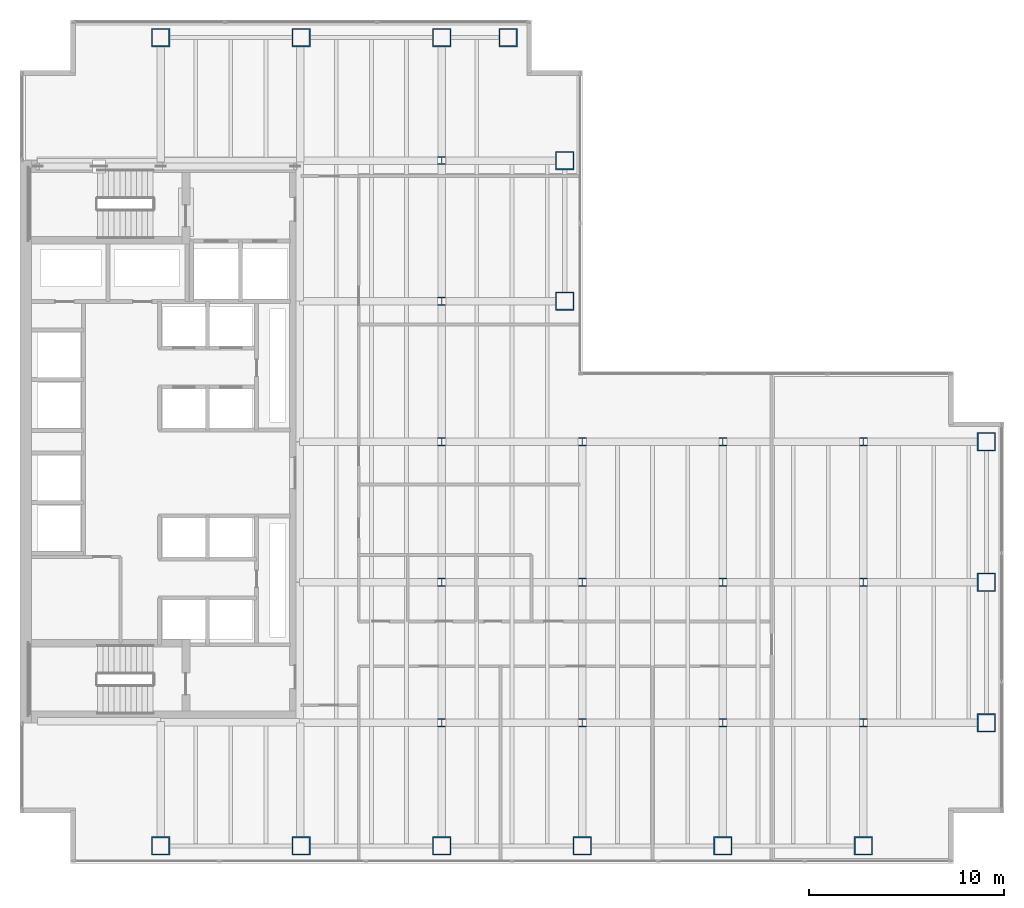
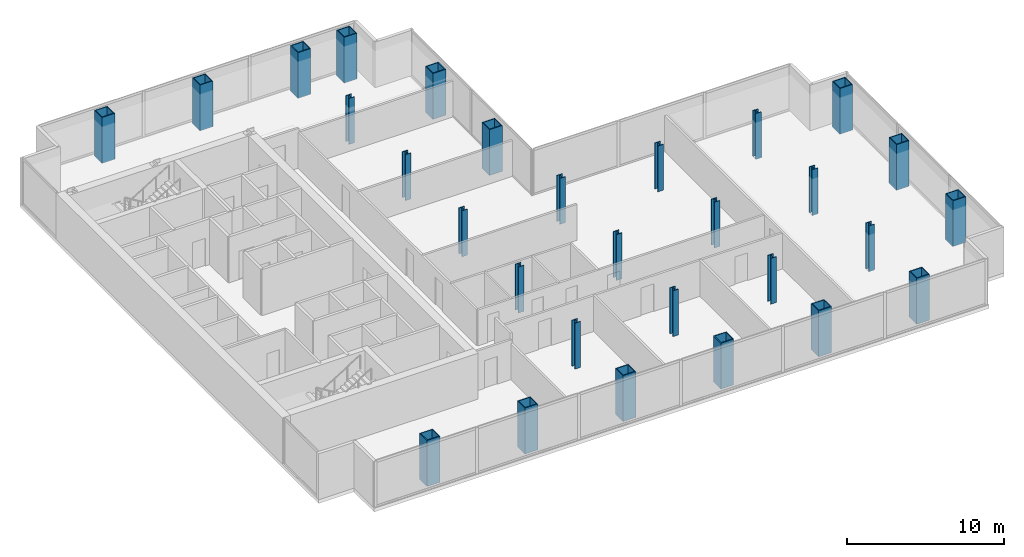
# One storey, part 1 of 24: 29 columns.
"""IFC4 building model written with IfcOpenShell, lengths in metres."""

from ifc_helpers import new_model, si_unit, direction, frame, origin, origin_2d, place, context, subcontext, project, spatial, hollow_rectangle, i_section, extrude, material, material_profile, profile_set, type_object, element, save


model = new_model("IFC4")

# Units and contexts
model_context = context("Model", 3, precision=1e-05, world=origin(), true_north=direction((0.0, 1.0)))
body_context = subcontext(model_context, "Body", "Model", "MODEL_VIEW")
ifc_project = project(units=[si_unit("LENGTHUNIT", "METRE"), si_unit("AREAUNIT", "SQUARE_METRE"), si_unit("VOLUMEUNIT", "CUBIC_METRE"), si_unit("PLANEANGLEUNIT", "RADIAN"), si_unit("MASSUNIT", "GRAM", prefix="KILO")], contexts=[model_context])

# Site, building, storey
site_placement = place(None, origin())
site = spatial("IfcSite", under=ifc_project, at=site_placement, CompositionType="ELEMENT")
building_placement = place(site_placement, origin())
building = spatial("IfcBuilding", under=site, at=building_placement, Name="Cobrela Telecom Tower", CompositionType="ELEMENT")
storey_placement = place(building_placement, frame((0.0, 0.0, 85.050048828125)))
storey = spatial("IfcBuildingStorey", under=building, at=storey_placement, Name="L21", CompositionType="ELEMENT", Elevation=85.050048828125)

# Columns
ifc_material_1 = material(Name="Steel ASTM A992 Grade 50", Category="steel")
ifc_material_profile_1 = material_profile(ifc_material_1, i_section(OverallWidth=0.408935546875, OverallDepth=0.424072265625, WebThickness=0.03271484375, FlangeThickness=0.052490234375, FilletRadius=0.01806640625, at=origin_2d()), Name="W14X283")
ifc_profile_set_1 = profile_set([ifc_material_profile_1], Name="Steel ASTM A992 Grade 50")
column_type_1 = type_object("IfcColumnType", Name="COL-INT-05", PredefinedType="COLUMN", material=ifc_profile_set_1)
for number, where, z_axis, x_axis, name in (
    (1, (21.60009765625, 7.199951171875, 0.0), (0.0, 0.0, 1.0), (1.0, 0.0, 0.0), "L21 Interior Column 06"),
    (2, (21.60009765625, 14.39990234375, 0.0), (0.0, 0.0, 1.0), (1.0, 0.0, 0.0), "L21 Interior Column 07"),
    (3, (21.60009765625, 21.60009765625, 0.0), (0.0, 0.0, 1.0), (1.0, 0.0, 0.0), "L21 Interior Column 08"),
    (4, (21.60009765625, 28.800048828125, 0.0), (0.0, 0.0, 1.0), (1.0, 0.0, 0.0), "L21 Interior Column 09"),
    (5, (21.60009765625, 36.0, 0.0), (0.0, 0.0, 1.0), (1.0, 0.0, 0.0), "L21 Interior Column 10"),
    (6, (28.800048828125, 7.199951171875, 0.0), (0.0, 0.0, 1.0), (1.0, 0.0, 0.0), "L21 Interior Column 16"),
    (7, (28.800048828125, 14.39990234375, 0.0), (0.0, 0.0, 1.0), (1.0, 0.0, 0.0), "L21 Interior Column 17"),
    (8, (28.800048828125, 21.60009765625, 0.0), (0.0, 0.0, 1.0), (1.0, 0.0, 0.0), "L21 Interior Column 18"),
    (9, (36.0, 7.199951171875, 0.0), (0.0, 0.0, 1.0), (1.0, 0.0, 0.0), "L21 Interior Column 20"),
    (10, (36.0, 14.39990234375, 0.0), (0.0, 0.0, 1.0), (1.0, 0.0, 0.0), "L21 Interior Column 21"),
    (11, (36.0, 21.60009765625, 0.0), (0.0, 0.0, 1.0), (1.0, 0.0, 0.0), "L21 Interior Column 22"),
    (12, (43.199951171875, 7.199951171875, 0.0), (0.0, 0.0, 1.0), (1.0, 0.0, 0.0), "L21 Interior Column 24"),
    (13, (43.199951171875, 14.39990234375, 0.0), (0.0, 0.0, 1.0), (1.0, 0.0, 0.0), "L21 Interior Column 25"),
    (14, (43.199951171875, 21.60009765625, 0.0), (0.0, 0.0, 1.0), (1.0, 0.0, 0.0), "L21 Interior Column 26"),
):
    element("IfcColumn", number, at=place(storey_placement, frame(where, z_axis=z_axis, x_axis=x_axis)), inside=storey, type_object=column_type_1, Name=name, PredefinedType="COLUMN", context=body_context, shape_type="SweptSolid", body=[
        extrude(i_section(OverallWidth=0.408935546875, OverallDepth=0.424072265625, WebThickness=0.03271484375, FlangeThickness=0.052490234375, FilletRadius=0.01806640625, at=origin_2d()), origin(), (0.0, 0.0, 1.0), 3.570068359375),
    ])
ifc_material_2 = material(Name="Steel ASTM A572 Grade 50", Category="steel")
ifc_material_profile_2 = material_profile(ifc_material_2, hollow_rectangle(XDim=0.949951171875, YDim=0.949951171875, WallThickness=0.06005859375, at=origin_2d()), Name="BOX 950x950x60")
ifc_profile_set_2 = profile_set([ifc_material_profile_2], Name="Steel ASTM A572 Grade 50")
column_type_2 = type_object("IfcColumnType", Name="COL-MEGA-04", PredefinedType="COLUMN", material=ifc_profile_set_2)
for number, where, z_axis, x_axis, name in (
    (15, (7.199951171875, 0.89990234375, 0.0), (0.0, 0.0, 1.0), (1.0, 0.0, 0.0), "L21 Perimeter Mega-Column 01"),
    (16, (7.199951171875, 42.300048828125, 0.0), (0.0, 0.0, 1.0), (1.0, 0.0, 0.0), "L21 Perimeter Mega-Column 02"),
    (17, (14.39990234375, 0.89990234375, 0.0), (0.0, 0.0, 1.0), (1.0, 0.0, 0.0), "L21 Perimeter Mega-Column 03"),
    (18, (14.39990234375, 42.300048828125, 0.0), (0.0, 0.0, 1.0), (1.0, 0.0, 0.0), "L21 Perimeter Mega-Column 04"),
    (19, (21.60009765625, 0.89990234375, 0.0), (0.0, 0.0, 1.0), (1.0, 0.0, 0.0), "L21 Perimeter Mega-Column 05"),
    (20, (21.60009765625, 42.300048828125, 0.0), (0.0, 0.0, 1.0), (1.0, 0.0, 0.0), "L21 Perimeter Mega-Column 11"),
    (21, (25.0, 42.300048828125, 0.0), (0.0, 0.0, 1.0), (1.0, 0.0, 0.0), "L21 Perimeter Mega-Column 12"),
    (22, (27.89990234375, 28.800048828125, 0.0), (0.0, 0.0, 1.0), (1.0, 0.0, 0.0), "L21 Perimeter Mega-Column 13"),
    (23, (27.89990234375, 36.0, 0.0), (0.0, 0.0, 1.0), (1.0, 0.0, 0.0), "L21 Perimeter Mega-Column 14"),
    (24, (28.800048828125, 0.89990234375, 0.0), (0.0, 0.0, 1.0), (1.0, 0.0, 0.0), "L21 Perimeter Mega-Column 15"),
    (25, (36.0, 0.89990234375, 0.0), (0.0, 0.0, 1.0), (1.0, 0.0, 0.0), "L21 Perimeter Mega-Column 19"),
    (26, (43.199951171875, 0.89990234375, 0.0), (0.0, 0.0, 1.0), (1.0, 0.0, 0.0), "L21 Perimeter Mega-Column 23"),
    (27, (49.5, 7.199951171875, 0.0), (0.0, 0.0, 1.0), (1.0, 0.0, 0.0), "L21 Perimeter Mega-Column 27"),
    (28, (49.5, 14.39990234375, 0.0), (0.0, 0.0, 1.0), (1.0, 0.0, 0.0), "L21 Perimeter Mega-Column 28"),
    (29, (49.5, 21.60009765625, 0.0), (0.0, 0.0, 1.0), (1.0, 0.0, 0.0), "L21 Perimeter Mega-Column 29"),
):
    element("IfcColumn", number, at=place(storey_placement, frame(where, z_axis=z_axis, x_axis=x_axis)), inside=storey, type_object=column_type_2, Name=name, PredefinedType="COLUMN", context=body_context, shape_type="SweptSolid", body=[
        extrude(hollow_rectangle(XDim=0.949951171875, YDim=0.949951171875, WallThickness=0.06005859375, at=origin_2d()), origin(), (0.0, 0.0, 1.0), 3.570068359375),
    ])

save(model, "model.ifc")
